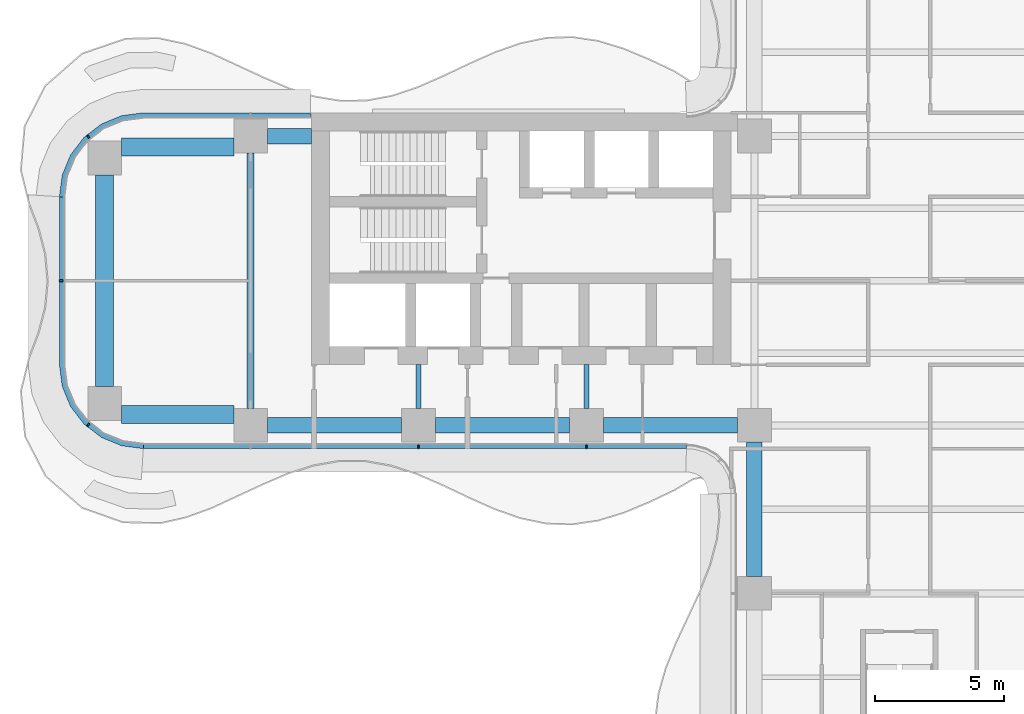
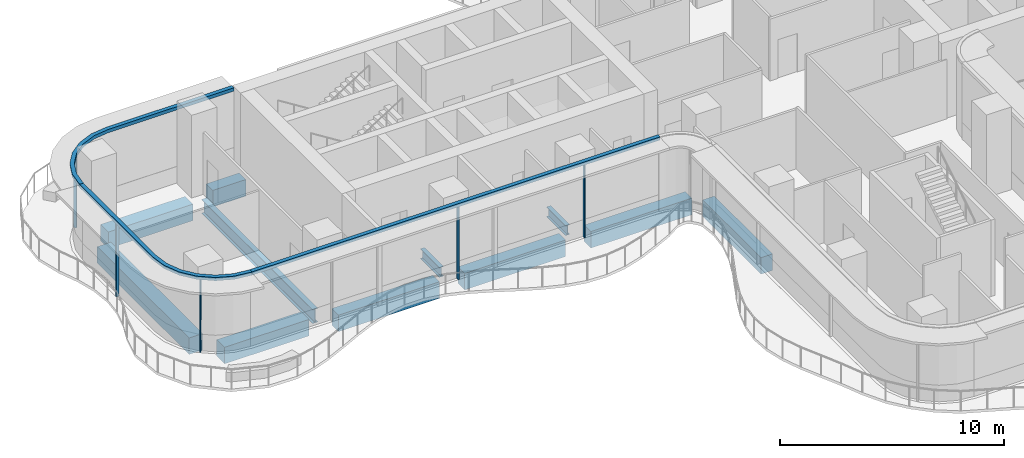
# One storey, part 3 of 20: 11 beams, 8 members, 3 elements without a shape of their own.
"""IFC4 building model written with IfcOpenShell, lengths in metres."""

from ifc_helpers import new_model, si_unit, direction, frame, origin, origin_2d, place, context, subcontext, project, spatial, polyline, rectangle, i_section, outline, extrude, source, transform, mapped, material, layer, layer_set, material_profile, profile_set, type_object, element, aggregate, save


model = new_model("IFC4")

# Units and contexts
model_context = context("Model", 3, precision=1e-05, world=origin(), true_north=direction((0.0, 1.0)))
body_context = subcontext(model_context, "Body", "Model", "MODEL_VIEW")
ifc_project = project(units=[si_unit("LENGTHUNIT", "METRE"), si_unit("AREAUNIT", "SQUARE_METRE"), si_unit("VOLUMEUNIT", "CUBIC_METRE"), si_unit("PLANEANGLEUNIT", "RADIAN"), si_unit("MASSUNIT", "GRAM", prefix="KILO")], contexts=[model_context])

# Site, building, storey
site_placement = place(None, origin())
site = spatial("IfcSite", under=ifc_project, at=site_placement, CompositionType="ELEMENT")
building_placement = place(site_placement, origin())
building = spatial("IfcBuilding", under=site, at=building_placement, Name="Trellis Farm Tower", CompositionType="ELEMENT")
storey_placement = place(building_placement, frame((0.0, 0.0, 151.5)))
storey = spatial("IfcBuildingStorey", under=building, at=storey_placement, Name="L32", CompositionType="ELEMENT", Elevation=151.5)

# Beams
ifc_material_1 = material(Name="Steel S355", Category="steel")
ifc_material_profile_1 = material_profile(ifc_material_1, i_section(OverallWidth=0.2666015625, OverallDepth=0.76220703125, WebThickness=0.014404296875, FlangeThickness=0.021484375, FilletRadius=0.0166015625, at=origin_2d()), Name="UB 762x267x173")
ifc_profile_set_1 = profile_set([ifc_material_profile_1], Name="Steel S355")
beam_type_1 = type_object("IfcBeamType", Name="UB 762x267x173", PredefinedType="BEAM", material=ifc_profile_set_1)
shared_shape_1 = source(origin(), body_context, "Body", "SweptSolid", [
    extrude(i_section(OverallWidth=0.2666015625, OverallDepth=0.76220703125, WebThickness=0.014404296875, FlangeThickness=0.021484375, FilletRadius=0.0166015625, at=origin_2d()), origin(), (0.0, 0.0, 1.0), 9.89990234375),
])
beam_1_placement = place(storey_placement, frame((-25.10009765625, -4.949951171875, -0.631103515625), z_axis=(0.0, 1.0, 0.0), x_axis=(-1.0, 0.0, 0.0)))
element("IfcBeam", 1, at=beam_1_placement, inside=storey, type_object=beam_type_1, Name="Girder", PredefinedType="BEAM", context=body_context, shape_type="MappedRepresentation", body=[
    mapped(shared_shape_1, transform((0.0, 0.0, 0.0))),
])
ifc_material_2 = material(Name="Concrete C60/75", Category="concrete")
ifc_material_profile_2 = material_profile(ifc_material_2, rectangle(XDim=0.60009765625, YDim=0.89990234375, at=origin_2d()), Name="RC spandrel beam 600x900 C60/75")
ifc_profile_set_2 = profile_set([ifc_material_profile_2], Name="Concrete C60/75")
beam_type_2 = type_object("IfcBeamType", Name="RC spandrel beam 600x900 C60/75", PredefinedType="SPANDREL", material=ifc_profile_set_2)
shared_shape_2 = source(origin(), body_context, "Body", "SweptSolid", [
    extrude(rectangle(XDim=0.60009765625, YDim=0.89990234375, at=origin_2d()), origin(), (0.0, 0.0, 1.0), 1.699951171875),
])
beam_2_placement = place(storey_placement, frame((-24.449951171875, 5.60009765625, -0.699951171875), z_axis=(1.0, 0.0, 0.0), x_axis=(0.0, 1.0, 0.0)))
element("IfcBeam", 2, at=beam_2_placement, inside=storey, type_object=beam_type_2, Name="Girder", PredefinedType="SPANDREL", context=body_context, shape_type="MappedRepresentation", body=[
    mapped(shared_shape_2, transform((0.0, 0.0, 0.0))),
])
ifc_material_profile_3 = material_profile(ifc_material_1, i_section(OverallWidth=0.209228515625, OverallDepth=0.533203125, WebThickness=0.010009765625, FlangeThickness=0.015625, FilletRadius=0.0126953125, at=origin_2d()), Name="UB 533x210x92")
ifc_profile_set_3 = profile_set([ifc_material_profile_3], Name="Steel S355")
beam_type_3 = type_object("IfcBeamType", Name="UB 533x210x92", PredefinedType="BEAM", material=ifc_profile_set_3)
shared_shape_3 = source(origin(), body_context, "Body", "SweptSolid", [
    extrude(i_section(OverallWidth=0.209228515625, OverallDepth=0.533203125, WebThickness=0.010009765625, FlangeThickness=0.015625, FilletRadius=0.0126953125, at=origin_2d()), origin(), (0.0, 0.0, 1.0), 1.699951171875),
])
for number, where, z_axis, x_axis, name in (
    (3, (-18.60009765625, -4.949951171875, -0.5166015625), (0.0, 1.0, 0.0), (-1.0, 0.0, 0.0), "Girder"),
    (4, (-12.10009765625, -4.949951171875, -0.5166015625), (0.0, 1.0, 0.0), (-1.0, 0.0, 0.0), "Girder"),
):
    element("IfcBeam", number, at=place(storey_placement, frame(where, z_axis=z_axis, x_axis=x_axis)), inside=storey, type_object=beam_type_3, Name=name, PredefinedType="BEAM", context=body_context, shape_type="MappedRepresentation", body=[
        mapped(shared_shape_3, transform((0.0, 0.0, 0.0))),
    ])
shared_shape_4 = source(origin(), body_context, "Body", "SweptSolid", [
    extrude(rectangle(XDim=0.60009765625, YDim=0.89990234375, at=origin_2d()), origin(), (0.0, 0.0, 1.0), 5.199951171875),
])
for number, where, z_axis, x_axis, name in (
    (5, (-24.449951171875, -5.60009765625, -0.699951171875), (1.0, 0.0, 0.0), (0.0, 1.0, 0.0), "Girder"),
    (6, (-17.949951171875, -5.60009765625, -0.699951171875), (1.0, 0.0, 0.0), (0.0, 1.0, 0.0), "Girder"),
    (7, (-11.449951171875, -5.60009765625, -0.699951171875), (1.0, 0.0, 0.0), (0.0, 1.0, 0.0), "Girder"),
    (8, (-5.60009765625, -11.449951171875, -0.699951171875), (0.0, 1.0, 0.0), (-1.0, 0.0, 0.0), "Girder"),
):
    element("IfcBeam", number, at=place(storey_placement, frame(where, z_axis=z_axis, x_axis=x_axis)), inside=storey, type_object=beam_type_2, Name=name, PredefinedType="SPANDREL", context=body_context, shape_type="MappedRepresentation", body=[
        mapped(shared_shape_4, transform((0.0, 0.0, 0.0))),
    ])
ifc_material_profile_4 = material_profile(ifc_material_2, rectangle(XDim=0.699951171875, YDim=0.89990234375, at=origin_2d()), Name="RC spandrel beam 700x900 C60/75")
ifc_profile_set_4 = profile_set([ifc_material_profile_4], Name="Concrete C60/75")
beam_type_4 = type_object("IfcBeamType", Name="RC spandrel beam 700x900 C60/75", PredefinedType="SPANDREL", material=ifc_profile_set_4)
shared_shape_5 = source(origin(), body_context, "Body", "SweptSolid", [
    extrude(rectangle(XDim=0.699951171875, YDim=0.89990234375, at=origin_2d()), origin(), (0.0, 0.0, 1.0), 4.35009765625),
])
for number, where, z_axis, x_axis, name in (
    (9, (-30.10009765625, -5.175048828125, -0.699951171875), (1.0, 0.0, 0.0), (0.0, 1.0, 0.0), "Girder"),
    (10, (-30.10009765625, 5.175048828125, -0.699951171875), (1.0, 0.0, 0.0), (0.0, 1.0, 0.0), "Girder"),
):
    element("IfcBeam", number, at=place(storey_placement, frame(where, z_axis=z_axis, x_axis=x_axis)), inside=storey, type_object=beam_type_4, Name=name, PredefinedType="SPANDREL", context=body_context, shape_type="MappedRepresentation", body=[
        mapped(shared_shape_5, transform((0.0, 0.0, 0.0))),
    ])
shared_shape_6 = source(origin(), body_context, "Body", "SweptSolid", [
    extrude(rectangle(XDim=0.699951171875, YDim=0.89990234375, at=origin_2d()), origin(), (0.0, 0.0, 1.0), 8.2001953125),
])
beam_3_placement = place(storey_placement, frame((-30.75, -4.10009765625, -0.699951171875), z_axis=(0.0, 1.0, 0.0), x_axis=(-1.0, 0.0, 0.0)))
element("IfcBeam", 11, at=beam_3_placement, inside=storey, type_object=beam_type_4, Name="Girder", PredefinedType="SPANDREL", context=body_context, shape_type="MappedRepresentation", body=[
    mapped(shared_shape_6, transform((0.0, 0.0, 0.0))),
])

# Curtain wall, member
ifc_material_3 = material(Name="Aluminium and glass curtain wall", Category="aluminium")
ifc_layer_1 = layer(ifc_material_3, 0.18994140625)
ifc_layer_set_1 = layer_set([ifc_layer_1], Name="RIBBON CURTAIN WALL CW1")
curtain_wall_type = type_object("IfcCurtainWallType", Name="RIBBON CURTAIN WALL CW1", PredefinedType="NOTDEFINED", material=ifc_layer_set_1)
placement_1 = place(storey_placement, origin())
curtain_wall_1 = element("IfcCurtainWall", 12, at=placement_1, inside=storey, type_object=curtain_wall_type, Name="CW1 001", PredefinedType="NOTDEFINED")
ifc_material_4 = material(Name="Aluminium extrusion 6063-T6", Category="aluminium")
ifc_layer_2 = layer(ifc_material_4, 0.199951171875)
ifc_layer_set_2 = layer_set([ifc_layer_2], Name="Aluminium extrusion 6063-T6")
member_type_1 = type_object("IfcMemberType", Name="CW1 TRANSOM 200x180", PredefinedType="USERDEFINED", material=ifc_layer_set_2)
shared_shape_7 = source(origin(), body_context, "Body", "SweptSolid", [
    extrude(outline(polyline([(-29.25, -6.5), (-8.2314453125, -6.5), (-8.224853515625, -6.300048828125), (-29.23681640625, -6.300048828125), (-29.25, -6.5)])), origin(), (0.0, 0.0, 1.0), 0.179931640625),
])
placement_2 = place(storey_placement, frame((0.0, 0.0, 3.969970703125)))
member_1 = element("IfcMember", 13, at=placement_2, type_object=member_type_1, Name="TR1 001", ObjectType="TRANSOM", PredefinedType="USERDEFINED", context=body_context, shape_type="MappedRepresentation", body=[
    mapped(shared_shape_7, transform((0.0, 0.0, 0.0))),
])

curtain_wall_2 = element("IfcCurtainWall", 14, at=placement_1, inside=storey, type_object=curtain_wall_type, Name="CW1 013", PredefinedType="NOTDEFINED")
shared_shape_8 = source(origin(), body_context, "Body", "SweptSolid", [
    extrude(outline(polyline([(-22.780029296875, 6.5), (-29.25, 6.5), (-30.091064453125, 6.38916015625), (-30.875, 6.064697265625), (-31.548095703125, 5.548095703125), (-32.064697265625, 4.875), (-32.38916015625, 4.091064453125), (-32.5, 3.25), (-32.300048828125, 3.23681640625), (-32.1943359375, 4.0390625), (-31.889892578125, 4.774169921875), (-31.405517578125, 5.405517578125), (-30.774169921875, 5.889892578125), (-30.0390625, 6.1943359375), (-29.23681640625, 6.300048828125), (-22.780029296875, 6.300048828125), (-22.780029296875, 6.5)])), origin(), (0.0, 0.0, 1.0), 0.179931640625),
])
member_2 = element("IfcMember", 15, at=placement_2, type_object=member_type_1, Name="TR1 013", ObjectType="TRANSOM", PredefinedType="USERDEFINED", context=body_context, shape_type="MappedRepresentation", body=[
    mapped(shared_shape_8, transform((0.0, 0.0, 0.0))),
])

curtain_wall_3 = element("IfcCurtainWall", 16, at=placement_1, inside=storey, type_object=curtain_wall_type, Name="CW1 014", PredefinedType="NOTDEFINED")
shared_shape_9 = source(origin(), body_context, "Body", "SweptSolid", [
    extrude(outline(polyline([(-32.5, 3.25), (-32.5, -3.25), (-32.38916015625, -4.091064453125), (-32.064697265625, -4.875), (-31.548095703125, -5.548095703125), (-30.875, -6.064697265625), (-30.091064453125, -6.38916015625), (-29.25, -6.5), (-29.23681640625, -6.300048828125), (-30.0390625, -6.1943359375), (-30.774169921875, -5.889892578125), (-31.405517578125, -5.405517578125), (-31.889892578125, -4.774169921875), (-32.1943359375, -4.0390625), (-32.300048828125, -3.23681640625), (-32.300048828125, 3.23681640625), (-32.5, 3.25)])), origin(), (0.0, 0.0, 1.0), 0.179931640625),
])
member_3 = element("IfcMember", 17, at=placement_2, type_object=member_type_1, Name="TR1 014", ObjectType="TRANSOM", PredefinedType="USERDEFINED", context=body_context, shape_type="MappedRepresentation", body=[
    mapped(shared_shape_9, transform((0.0, 0.0, 0.0))),
])

# Member
ifc_material_profile_5 = material_profile(ifc_material_4, rectangle(XDim=0.06005859375, YDim=0.14990234375, at=origin_2d()), Name="MULLION 60x150")
ifc_profile_set_5 = profile_set([ifc_material_profile_5], Name="Aluminium extrusion 6063-T6")
member_type_2 = type_object("IfcMemberType", Name="CW1 MULLION 60x150", PredefinedType="MULLION", material=ifc_profile_set_5)
shared_shape_10 = source(origin(), body_context, "Body", "SweptSolid", [
    extrude(rectangle(XDim=0.06005859375, YDim=0.14990234375, at=origin_2d()), origin(), (0.0, 0.0, 1.0), 3.969970703125),
])
member_4_placement = place(storey_placement, frame((-18.60009765625, -6.425048828125, 0.0), z_axis=(0.0, 0.0, 1.0), x_axis=(1.0, 0.0, 0.0)))
member_4 = element("IfcMember", 18, at=member_4_placement, type_object=member_type_2, Name="MU1 001-02", PredefinedType="MULLION", context=body_context, shape_type="MappedRepresentation", body=[
    mapped(shared_shape_10, transform((0.0, 0.0, 0.0))),
])

member_5_placement = place(storey_placement, frame((-12.10009765625, -6.425048828125, 0.0), z_axis=(0.0, 0.0, 1.0), x_axis=(1.0, 0.0, 0.0)))
member_5 = element("IfcMember", 19, at=member_5_placement, type_object=member_type_2, Name="MU1 001-03", PredefinedType="MULLION", context=body_context, shape_type="MappedRepresentation", body=[
    mapped(shared_shape_10, transform((0.0, 0.0, 0.0))),
])

aggregate(curtain_wall_1, [member_4, member_5, member_1])

member_6_placement = place(storey_placement, frame((-31.385498046875, 5.578369140625, 0.0), z_axis=(0.0, 0.0, 1.0), x_axis=(-0.793353340291, -0.608761429009, 0.0)))
member_6 = element("IfcMember", 20, at=member_6_placement, type_object=member_type_2, Name="MU1 013-02", PredefinedType="MULLION", context=body_context, shape_type="MappedRepresentation", body=[
    mapped(shared_shape_10, transform((0.0, 0.0, 0.0))),
])

aggregate(curtain_wall_2, [member_6, member_2])

member_7_placement = place(storey_placement, frame((-32.425048828125, 0.0, 0.0), z_axis=(0.0, 0.0, 1.0), x_axis=(0.0, -1.0, 0.0)))
member_7 = element("IfcMember", 21, at=member_7_placement, type_object=member_type_2, Name="MU1 014-01", PredefinedType="MULLION", context=body_context, shape_type="MappedRepresentation", body=[
    mapped(shared_shape_10, transform((0.0, 0.0, 0.0))),
])

member_8_placement = place(storey_placement, frame((-31.385498046875, -5.578369140625, 0.0), z_axis=(0.0, 0.0, 1.0), x_axis=(0.793353340291, -0.608761429009, 0.0)))
member_8 = element("IfcMember", 22, at=member_8_placement, type_object=member_type_2, Name="MU1 014-02", PredefinedType="MULLION", context=body_context, shape_type="MappedRepresentation", body=[
    mapped(shared_shape_10, transform((0.0, 0.0, 0.0))),
])

aggregate(curtain_wall_3, [member_7, member_8, member_3])

save(model, "model.ifc")
